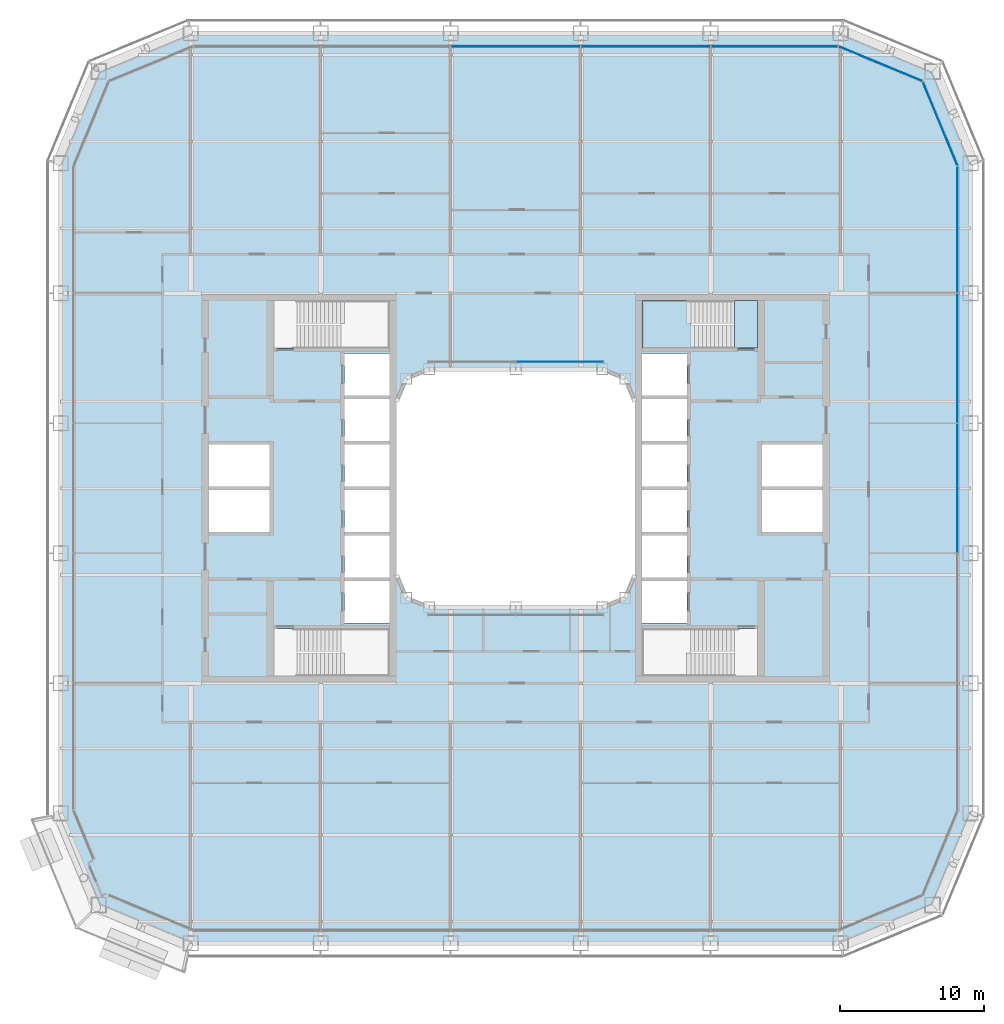
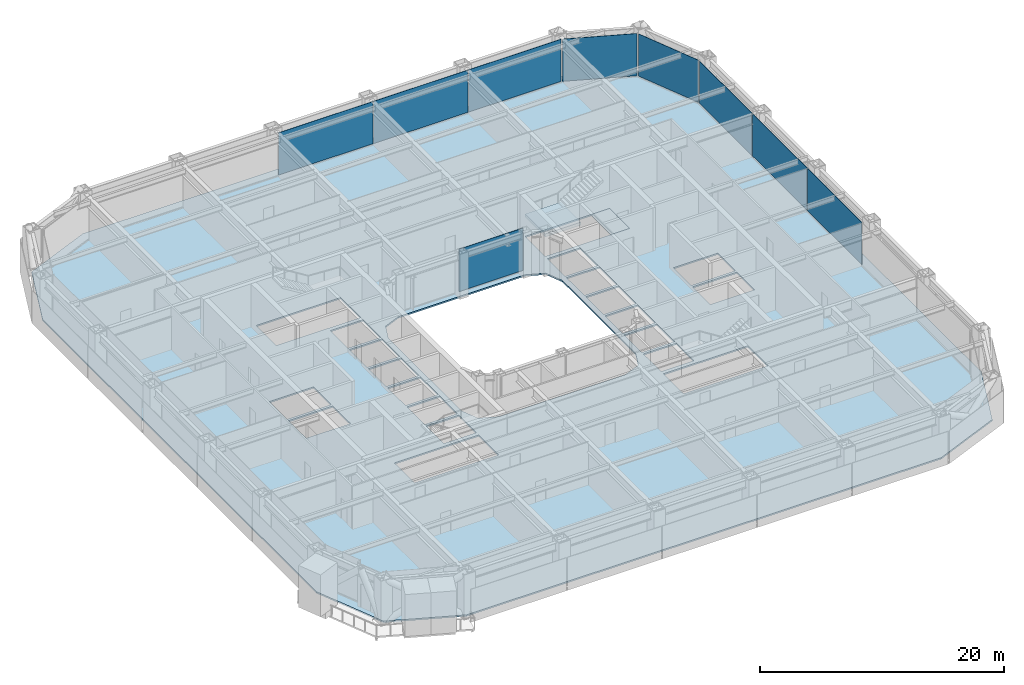
# One storey, part 12 of 27: 9 plates, 3 slabs, 6 elements without a shape of their own.
"""IFC4 building model written with IfcOpenShell, lengths in metres."""

from ifc_helpers import new_model, si_unit, direction, frame, origin, origin_2d, place, context, subcontext, project, spatial, polyline, rectangle, outline, extrude, material, layer, layer_set, type_object, element, aggregate, save


model = new_model("IFC4")

# Units and contexts
model_context = context("Model", 3, precision=1e-05, world=origin(), true_north=direction((0.0, 1.0)))
body_context = subcontext(model_context, "Body", "Model", "MODEL_VIEW")
ifc_project = project(units=[si_unit("LENGTHUNIT", "METRE"), si_unit("AREAUNIT", "SQUARE_METRE"), si_unit("VOLUMEUNIT", "CUBIC_METRE"), si_unit("PLANEANGLEUNIT", "RADIAN"), si_unit("MASSUNIT", "GRAM", prefix="KILO")], contexts=[model_context])

# Site, building, storey
site_placement = place(None, origin())
site = spatial("IfcSite", under=ifc_project, at=site_placement, CompositionType="ELEMENT")
building_placement = place(site_placement, origin())
building = spatial("IfcBuilding", under=site, at=building_placement, Name="Siwar Civic Tower", CompositionType="ELEMENT")
storey_placement = place(building_placement, frame((0.0, 0.0, 35.699951171875)))
storey = spatial("IfcBuildingStorey", under=building, at=storey_placement, Name="L07", CompositionType="ELEMENT", Elevation=35.699951171875)

# Stair, slabs
ifc_material_1 = material(Name="Concrete C40/50", Category="concrete")
stair_type = type_object("IfcStairType", Name="CORE-STAIR", PredefinedType="TWO_STRAIGHT_RUN_STAIR", material=ifc_material_1)
stair_placement = place(storey_placement, origin())
stair = element("IfcStair", 1, at=stair_placement, inside=storey, type_object=stair_type, Name="Exit stair ST3", PredefinedType="TWO_STRAIGHT_RUN_STAIR")
ifc_material_2 = material(Name="Concrete C40/50", Category="concrete")
ifc_layer_1 = layer(ifc_material_2, 0.300048828125)
ifc_layer_set_1 = layer_set([ifc_layer_1], Name="Concrete C40/50")
slab_type_1 = type_object("IfcSlabType", Name="CORE-STAIR-LANDING", PredefinedType="LANDING", material=ifc_layer_set_1)
slab_1_placement = place(storey_placement, frame((0.0, 0.0, -0.300048828125)))
slab_1 = element("IfcSlab", 2, at=slab_1_placement, type_object=slab_type_1, Name="ST3 landing 1", PredefinedType="LANDING", context=body_context, shape_type="SweptSolid", body=[
    extrude(outline(polyline([(15.14990234375, 9.699951171875), (16.75, 9.699951171875), (16.75, 13.0), (15.14990234375, 13.0), (15.14990234375, 9.699951171875)])), origin(), (0.0, 0.0, 1.0), 0.300048828125),
])
slab_2_placement = place(storey_placement, frame((0.0, 0.0, 1.949951171875)))
slab_2 = element("IfcSlab", 3, at=slab_2_placement, type_object=slab_type_1, Name="ST3 landing 2", PredefinedType="LANDING", context=body_context, shape_type="SweptSolid", body=[
    extrude(outline(polyline([(8.75, 9.699951171875), (12.139892578125, 9.699951171875), (12.139892578125, 13.0), (8.75, 13.0), (8.75, 9.699951171875)])), origin(), (0.0, 0.0, 1.0), 0.300048828125),
])
aggregate(stair, [slab_1, slab_2])

# Curtain wall, plates
ifc_material_3 = material(Name="Aluminium and glass", Category="aluminium")
ifc_layer_2 = layer(ifc_material_3, 0.219970703125)
ifc_layer_set_2 = layer_set([ifc_layer_2], Name="Aluminium and glass")
curtain_wall_type_1 = type_object("IfcCurtainWallType", Name="ENV-CW-A", PredefinedType="NOTDEFINED", material=ifc_layer_set_2)
curtain_wall_1_placement = place(storey_placement, origin())
curtain_wall_1 = element("IfcCurtainWall", 4, at=curtain_wall_1_placement, inside=storey, type_object=curtain_wall_type_1, Name="Curtain wall A E", PredefinedType="NOTDEFINED")
ifc_material_4 = material(Name="Glass clear laminated", Category="glass")
ifc_layer_3 = layer(ifc_material_4, 0.035888671875)
ifc_layer_set_3 = layer_set([ifc_layer_3], Name="Glass clear laminated")
plate_type_1 = type_object("IfcPlateType", Name="ENV-PANEL-A", PredefinedType="CURTAIN_PANEL", material=ifc_layer_set_3)
plate_1_placement = place(storey_placement, frame((30.60009765625, 0.0, 0.1201171875), z_axis=(0.0, 0.0, 1.0), x_axis=(0.0, 1.0, 0.0)))
plate_1 = element("IfcPlate", 5, at=plate_1_placement, type_object=plate_type_1, Name="Curtain panel A E 3", PredefinedType="CURTAIN_PANEL", context=body_context, shape_type="SweptSolid", body=[
    extrude(rectangle(XDim=8.929931640625, YDim=0.035888671875, at=origin_2d()), origin(), (0.0, 0.0, 1.0), 4.22998046875),
])
plate_2_placement = place(storey_placement, frame((30.60009765625, 9.0, 0.1201171875), z_axis=(0.0, 0.0, 1.0), x_axis=(0.0, 1.0, 0.0)))
plate_2 = element("IfcPlate", 6, at=plate_2_placement, type_object=plate_type_1, Name="Curtain panel A E 4", PredefinedType="CURTAIN_PANEL", context=body_context, shape_type="SweptSolid", body=[
    extrude(rectangle(XDim=8.929931640625, YDim=0.035888671875, at=origin_2d()), origin(), (0.0, 0.0, 1.0), 4.22998046875),
])
plate_3_placement = place(storey_placement, frame((30.60009765625, 17.86669921875, 0.1201171875), z_axis=(0.0, 0.0, 1.0), x_axis=(0.0, 1.0, 0.0)))
plate_3 = element("IfcPlate", 7, at=plate_3_placement, type_object=plate_type_1, Name="Curtain panel A E 5", PredefinedType="CURTAIN_PANEL", context=body_context, shape_type="SweptSolid", body=[
    extrude(rectangle(XDim=8.663330078125, YDim=0.035888671875, at=origin_2d()), origin(), (0.0, 0.0, 1.0), 4.22998046875),
])
aggregate(curtain_wall_1, [plate_1, plate_2, plate_3])

curtain_wall_2_placement = place(storey_placement, origin())
curtain_wall_2 = element("IfcCurtainWall", 8, at=curtain_wall_2_placement, inside=storey, type_object=curtain_wall_type_1, Name="Curtain wall A N", PredefinedType="NOTDEFINED")
plate_4_placement = place(storey_placement, frame((17.910400390625, 30.60009765625, 0.1201171875), z_axis=(0.0, 0.0, 1.0), x_axis=(-1.0, 0.0, 0.0)))
plate_4 = element("IfcPlate", 9, at=plate_4_placement, type_object=plate_type_1, Name="Curtain panel A N 1", PredefinedType="CURTAIN_PANEL", context=body_context, shape_type="SweptSolid", body=[
    extrude(rectangle(XDim=8.7509765625, YDim=0.035888671875, at=origin_2d()), origin(), (0.0, 0.0, 1.0), 4.22998046875),
])
plate_5_placement = place(storey_placement, frame((9.0, 30.60009765625, 0.1201171875), z_axis=(0.0, 0.0, 1.0), x_axis=(-1.0, 0.0, 0.0)))
plate_5 = element("IfcPlate", 10, at=plate_5_placement, type_object=plate_type_1, Name="Curtain panel A N 2", PredefinedType="CURTAIN_PANEL", context=body_context, shape_type="SweptSolid", body=[
    extrude(rectangle(XDim=8.929931640625, YDim=0.035888671875, at=origin_2d()), origin(), (0.0, 0.0, 1.0), 4.22998046875),
])
plate_6_placement = place(storey_placement, frame((0.0, 30.60009765625, 0.1201171875), z_axis=(0.0, 0.0, 1.0), x_axis=(-1.0, 0.0, 0.0)))
plate_6 = element("IfcPlate", 11, at=plate_6_placement, type_object=plate_type_1, Name="Curtain panel A N 3", PredefinedType="CURTAIN_PANEL", context=body_context, shape_type="SweptSolid", body=[
    extrude(rectangle(XDim=8.929931640625, YDim=0.035888671875, at=origin_2d()), origin(), (0.0, 0.0, 1.0), 4.22998046875),
])
aggregate(curtain_wall_2, [plate_4, plate_5, plate_6])

# Curtain wall, plate
ifc_material_5 = material(Name="Aluminium clad insulated panel", Category="aluminium")
ifc_layer_4 = layer(ifc_material_5, 0.219970703125)
ifc_layer_set_4 = layer_set([ifc_layer_4], Name="Aluminium clad insulated panel")
curtain_wall_type_2 = type_object("IfcCurtainWallType", Name="ENV-CW-AX", PredefinedType="NOTDEFINED", material=ifc_layer_set_4)
curtain_wall_3_placement = place(storey_placement, origin())
curtain_wall_3 = element("IfcCurtainWall", 12, at=curtain_wall_3_placement, inside=storey, type_object=curtain_wall_type_2, Name="Curtain wall A NE1", PredefinedType="NOTDEFINED")
ifc_material_6 = material(Name="Aluminium clad insulated panel", Category="aluminium")
ifc_layer_5 = layer(ifc_material_6, 0.035888671875)
ifc_layer_set_5 = layer_set([ifc_layer_5], Name="Aluminium clad insulated panel")
plate_type_2 = type_object("IfcPlateType", Name="ENV-PANEL-AX", PredefinedType="CURTAIN_PANEL", material=ifc_layer_set_5)
plate_7_placement = place(storey_placement, frame((29.404296875, 25.20751953125, 0.1201171875), z_axis=(0.0, 0.0, 1.0), x_axis=(-0.382683432365, 0.923879532511, 0.0)))
plate_7 = element("IfcPlate", 13, at=plate_7_placement, type_object=plate_type_2, Name="Curtain panel A NE1 1", PredefinedType="CURTAIN_PANEL", context=body_context, shape_type="SweptSolid", body=[
    extrude(rectangle(XDim=6.178955078125, YDim=0.035888671875, at=origin_2d()), origin(), (0.0, 0.0, 1.0), 4.22998046875),
])
aggregate(curtain_wall_3, [plate_7])

curtain_wall_4_placement = place(storey_placement, origin())
curtain_wall_4 = element("IfcCurtainWall", 14, at=curtain_wall_4_placement, inside=storey, type_object=curtain_wall_type_2, Name="Curtain wall A NE2", PredefinedType="NOTDEFINED")
plate_8_placement = place(storey_placement, frame((25.28857421875, 29.370849609375, 0.1201171875), z_axis=(0.0, 0.0, 1.0), x_axis=(-0.923879532511, 0.382683432365, 0.0)))
plate_8 = element("IfcPlate", 15, at=plate_8_placement, type_object=plate_type_2, Name="Curtain panel A NE2 1", PredefinedType="CURTAIN_PANEL", context=body_context, shape_type="SweptSolid", body=[
    extrude(rectangle(XDim=6.178955078125, YDim=0.035888671875, at=origin_2d()), origin(), (0.0, 0.0, 1.0), 4.22998046875),
])
aggregate(curtain_wall_4, [plate_8])

ifc_material_7 = material(Name="Aluminium and glass", Category="aluminium")
ifc_layer_6 = layer(ifc_material_7, 0.179931640625)
ifc_layer_set_6 = layer_set([ifc_layer_6], Name="Aluminium and glass")
curtain_wall_type_3 = type_object("IfcCurtainWallType", Name="ENV-CW-W", PredefinedType="NOTDEFINED", material=ifc_layer_set_6)
curtain_wall_5_placement = place(storey_placement, origin())
curtain_wall_5 = element("IfcCurtainWall", 16, at=curtain_wall_5_placement, inside=storey, type_object=curtain_wall_type_3, Name="Curtain wall W WN", PredefinedType="NOTDEFINED")
ifc_material_8 = material(Name="Glass clear laminated", Category="glass")
ifc_layer_7 = layer(ifc_material_8, 0.031982421875)
ifc_layer_set_7 = layer_set([ifc_layer_7], Name="Glass clear laminated")
plate_type_3 = type_object("IfcPlateType", Name="ENV-PANEL-W", PredefinedType="CURTAIN_PANEL", material=ifc_layer_set_7)
plate_9_placement = place(storey_placement, frame((3.05078125, 8.760009765625, 0.10009765625), z_axis=(0.0, 0.0, 1.0), x_axis=(-1.0, 0.0, 0.0)))
plate_9 = element("IfcPlate", 17, at=plate_9_placement, type_object=plate_type_3, Name="Curtain panel W WN 1", PredefinedType="CURTAIN_PANEL", context=body_context, shape_type="SweptSolid", body=[
    extrude(rectangle(XDim=6.04150390625, YDim=0.031982421875, at=origin_2d()), origin(), (0.0, 0.0, 1.0), 4.25),
])
aggregate(curtain_wall_5, [plate_9])

# Slab
ifc_material_9 = material(Name="Concrete C40/50", Category="concrete")
ifc_layer_8 = layer(ifc_material_9, 0.14990234375)
ifc_layer_set_8 = layer_set([ifc_layer_8], Name="Concrete C40/50")
slab_type_2 = type_object("IfcSlabType", Name="STR-FLOOR-DECK-150", PredefinedType="FLOOR", material=ifc_layer_set_8)
slab_3_placement = place(storey_placement, frame((0.0, 0.0, -0.14990234375)))
element("IfcSlab", 18, at=slab_3_placement, inside=storey, type_object=slab_type_2, Name="L07/slab/1", PredefinedType="FLOOR", context=body_context, shape_type="SweptSolid", body=[
    extrude(outline(polyline([(-22.5, -31.5), (22.5, -31.5), (28.864013671875, -28.864013671875), (31.5, -22.5), (31.5, 22.5), (28.864013671875, 28.864013671875), (22.5, 31.5), (-22.5, 31.5), (-28.864013671875, 28.864013671875), (-31.5, 22.5), (-31.5, -22.5), (-28.864013671875, -28.864013671875), (-22.5, -31.5)]), holes=[polyline([(21.25, 3.02490234375), (21.25, 0.125), (17.050048828125, 0.125), (17.050048828125, 3.02490234375), (21.25, 3.02490234375)]), polyline([(17.050048828125, -0.125), (21.25, -0.125), (21.25, -3.02490234375), (17.050048828125, -3.02490234375), (17.050048828125, -0.125)]), polyline([(16.75, 13.0), (16.75, 9.699951171875), (8.75, 9.699951171875), (8.75, 13.0), (16.75, 13.0)]), polyline([(8.75, -9.699951171875), (16.75, -9.699951171875), (16.75, -13.0), (8.75, -13.0), (8.75, -9.699951171875)]), polyline([(11.85009765625, 9.324951171875), (11.85009765625, 6.425048828125), (8.75, 6.425048828125), (8.75, 9.324951171875), (11.85009765625, 9.324951171875)]), polyline([(11.85009765625, 3.02490234375), (11.85009765625, 0.125), (8.75, 0.125), (8.75, 3.02490234375), (11.85009765625, 3.02490234375)]), polyline([(11.85009765625, -0.125), (11.85009765625, -3.02490234375), (8.75, -3.02490234375), (8.75, -0.125), (11.85009765625, -0.125)]), polyline([(11.85009765625, -3.27490234375), (11.85009765625, -6.175048828125), (8.75, -6.175048828125), (8.75, -3.27490234375), (11.85009765625, -3.27490234375)]), polyline([(8.75, 6.175048828125), (11.85009765625, 6.175048828125), (11.85009765625, 3.27490234375), (8.75, 3.27490234375), (8.75, 6.175048828125)]), polyline([(8.75, -6.425048828125), (11.85009765625, -6.425048828125), (11.85009765625, -9.324951171875), (8.75, -9.324951171875), (8.75, -6.425048828125)]), polyline([(-6.0, 8.25), (6.0, 8.25), (7.591064453125, 7.591064453125), (8.25, 6.0), (8.25, -6.0), (7.591064453125, -7.591064453125), (6.0, -8.25), (-6.0, -8.25), (-7.591064453125, -7.591064453125), (-8.25, -6.0), (-8.25, 6.0), (-7.591064453125, 7.591064453125), (-6.0, 8.25)]), polyline([(-8.75, 9.699951171875), (-16.75, 9.699951171875), (-16.75, 13.0), (-8.75, 13.0), (-8.75, 9.699951171875)]), polyline([(-8.75, 0.125), (-11.85009765625, 0.125), (-11.85009765625, 3.02490234375), (-8.75, 3.02490234375), (-8.75, 0.125)]), polyline([(-8.75, -6.175048828125), (-11.85009765625, -6.175048828125), (-11.85009765625, -3.27490234375), (-8.75, -3.27490234375), (-8.75, -6.175048828125)]), polyline([(-8.75, -9.324951171875), (-11.85009765625, -9.324951171875), (-11.85009765625, -6.425048828125), (-8.75, -6.425048828125), (-8.75, -9.324951171875)]), polyline([(-8.75, -13.0), (-16.75, -13.0), (-16.75, -9.699951171875), (-8.75, -9.699951171875), (-8.75, -13.0)]), polyline([(-11.85009765625, 6.425048828125), (-11.85009765625, 9.324951171875), (-8.75, 9.324951171875), (-8.75, 6.425048828125), (-11.85009765625, 6.425048828125)]), polyline([(-11.85009765625, 3.27490234375), (-11.85009765625, 6.175048828125), (-8.75, 6.175048828125), (-8.75, 3.27490234375), (-11.85009765625, 3.27490234375)]), polyline([(-11.85009765625, -3.02490234375), (-11.85009765625, -0.125), (-8.75, -0.125), (-8.75, -3.02490234375), (-11.85009765625, -3.02490234375)]), polyline([(-21.25, -3.02490234375), (-21.25, -0.125), (-17.050048828125, -0.125), (-17.050048828125, -3.02490234375), (-21.25, -3.02490234375)]), polyline([(-17.050048828125, 0.125), (-21.25, 0.125), (-21.25, 3.02490234375), (-17.050048828125, 3.02490234375), (-17.050048828125, 0.125)])]), origin(), (0.0, 0.0, 1.0), 0.14990234375),
])

save(model, "model.ifc")
